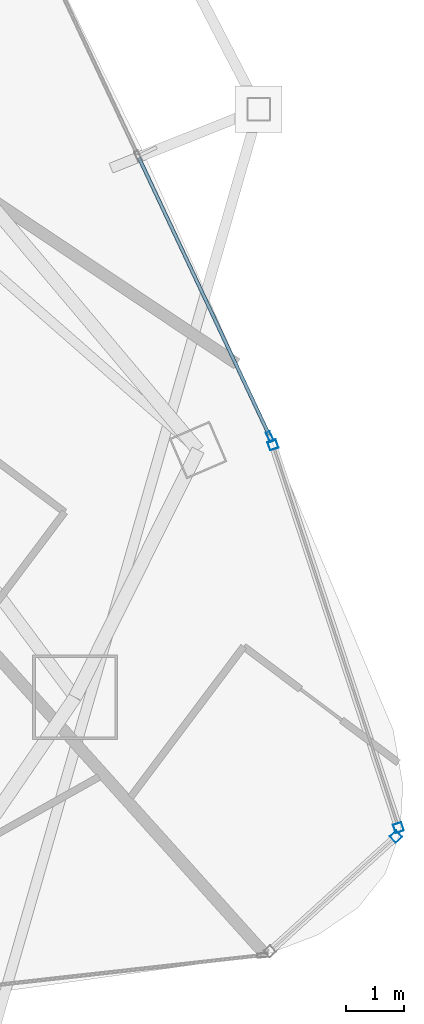
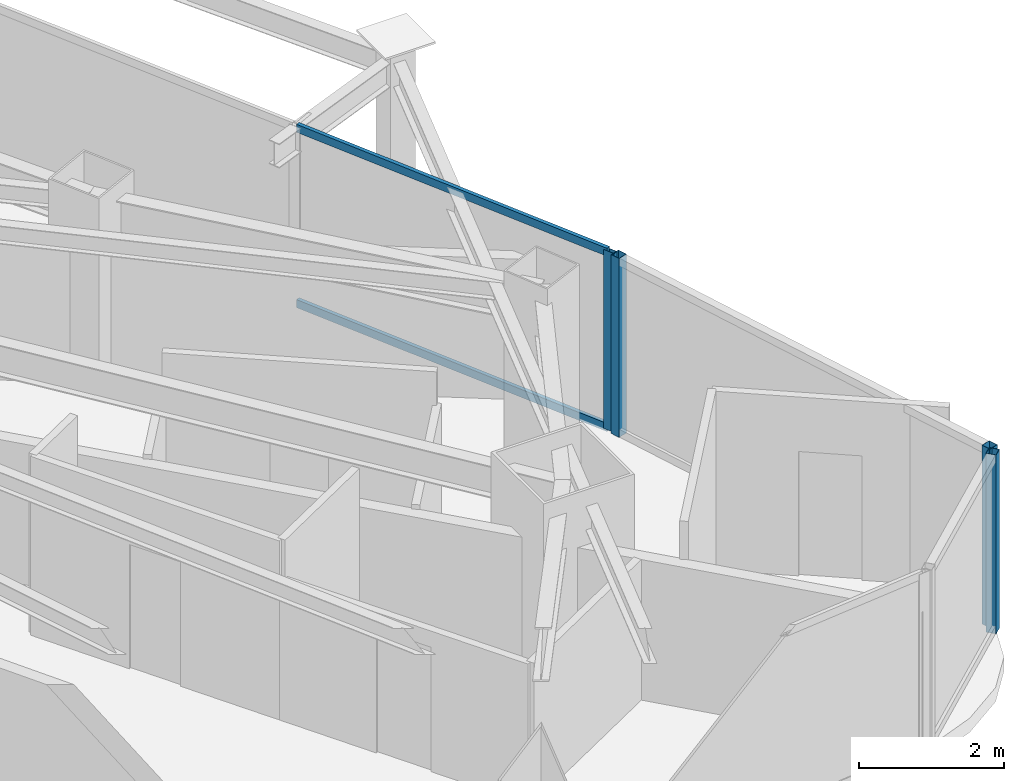
# One storey, part 17 of 31: 6 members, 3 elements without a shape of their own.
"""IFC4 building model written with IfcOpenShell, lengths in metres."""

from ifc_helpers import new_model, si_unit, direction, frame, origin, origin_2d, place, context, subcontext, project, spatial, hollow_rectangle, extrude, material, layer, layer_set, material_profile, profile_set, type_object, element, aggregate, save


model = new_model("IFC4")

# Units and contexts
model_context = context("Model", 3, precision=1e-05, world=origin(), true_north=direction((0.0, 1.0)))
body_context = subcontext(model_context, "Body", "Model", "MODEL_VIEW")
ifc_project = project(units=[si_unit("LENGTHUNIT", "METRE"), si_unit("AREAUNIT", "SQUARE_METRE"), si_unit("VOLUMEUNIT", "CUBIC_METRE"), si_unit("PLANEANGLEUNIT", "RADIAN"), si_unit("MASSUNIT", "GRAM", prefix="KILO")], contexts=[model_context])

# Site, building, storey
site_placement = place(None, origin())
site = spatial("IfcSite", under=ifc_project, at=site_placement, CompositionType="ELEMENT")
building_placement = place(site_placement, origin())
building = spatial("IfcBuilding", under=site, at=building_placement, Name="Orvanel Arch Residences", CompositionType="ELEMENT")
storey_placement = place(building_placement, frame((0.0, 0.0, 183.64990234375)))
storey = spatial("IfcBuildingStorey", under=building, at=storey_placement, Name="L52", CompositionType="ELEMENT", Elevation=183.64990234375)

# Curtain wall, member
ifc_material = material(Name="Bronze-anodised aluminium AA6063-T6", Category="aluminium")
ifc_layer_1 = layer(ifc_material, 0.18994140625)
ifc_layer_set_1 = layer_set([ifc_layer_1], Name="Bronze-anodised aluminium AA6063-T6")
curtain_wall_type_1 = type_object("IfcCurtainWallType", Name="CW5-CRN-SYS", PredefinedType="NOTDEFINED", material=ifc_layer_set_1)
curtain_wall_1_placement = place(storey_placement, origin())
curtain_wall_1 = element("IfcCurtainWall", 1, at=curtain_wall_1_placement, inside=storey, type_object=curtain_wall_type_1, Name="L52 CW5-CRN-SYS Unitised Curtain Wall", PredefinedType="NOTDEFINED")
ifc_material_profile_1 = material_profile(ifc_material, hollow_rectangle(XDim=0.14990234375, YDim=0.14990234375, WallThickness=0.0048828125, at=origin_2d()), Name="ALU150x150x5")
ifc_profile_set_1 = profile_set([ifc_material_profile_1], Name="Bronze-anodised aluminium AA6063-T6")
member_type_1 = type_object("IfcMemberType", Name="MUL-150x150", PredefinedType="MULLION", material=ifc_profile_set_1)
member_1_placement = place(storey_placement, frame((57.29052734375, 7.968505859375, 0.0), z_axis=(0.0, 0.0, 1.0), x_axis=(-0.672347823548, 0.740235370791, 0.0)))
member_1 = element("IfcMember", 2, at=member_1_placement, type_object=member_type_1, Name="CW-S5 mullion 2", PredefinedType="MULLION", context=body_context, shape_type="SweptSolid", body=[
    extrude(hollow_rectangle(XDim=0.14990234375, YDim=0.14990234375, WallThickness=0.0048828125, at=origin_2d()), origin(), (0.0, 0.0, 1.0), 3.02001953125),
])
aggregate(curtain_wall_1, [member_1])

# Curtain wall, members
curtain_wall_2_placement = place(storey_placement, origin())
curtain_wall_2 = element("IfcCurtainWall", 3, at=curtain_wall_2_placement, inside=storey, type_object=curtain_wall_type_1, Name="L52 CW5-CRN-SYS Unitised Curtain Wall", PredefinedType="NOTDEFINED")
member_2_placement = place(storey_placement, frame((57.33154296875, 8.122314453125, 0.0), z_axis=(0.0, 0.0, 1.0), x_axis=(-0.9502626347, -0.311449715192, 0.0)))
member_2 = element("IfcMember", 4, at=member_2_placement, type_object=member_type_1, Name="CW-S5 mullion 1", PredefinedType="MULLION", context=body_context, shape_type="SweptSolid", body=[
    extrude(hollow_rectangle(XDim=0.14990234375, YDim=0.14990234375, WallThickness=0.0048828125, at=origin_2d()), origin(), (0.0, 0.0, 1.0), 3.02001953125),
])
member_3_placement = place(storey_placement, frame((55.186279296875, 14.667724609375, 0.0), z_axis=(0.0, 0.0, 1.0), x_axis=(-0.9502626347, -0.311449715192, 0.0)))
member_3 = element("IfcMember", 5, at=member_3_placement, type_object=member_type_1, Name="CW-S5 mullion 2", PredefinedType="MULLION", context=body_context, shape_type="SweptSolid", body=[
    extrude(hollow_rectangle(XDim=0.14990234375, YDim=0.14990234375, WallThickness=0.0048828125, at=origin_2d()), origin(), (0.0, 0.0, 1.0), 3.02001953125),
])
aggregate(curtain_wall_2, [member_2, member_3])

ifc_layer_2 = layer(ifc_material, 0.179931640625)
ifc_layer_set_2 = layer_set([ifc_layer_2], Name="Bronze-anodised aluminium AA6063-T6")
curtain_wall_type_2 = type_object("IfcCurtainWallType", Name="CW3-MID-SYS", PredefinedType="NOTDEFINED", material=ifc_layer_set_2)
curtain_wall_3_placement = place(storey_placement, origin())
curtain_wall_3 = element("IfcCurtainWall", 6, at=curtain_wall_3_placement, inside=storey, type_object=curtain_wall_type_2, Name="L52 CW3-MID-SYS Unitised Curtain Wall", PredefinedType="NOTDEFINED")
ifc_material_profile_2 = material_profile(ifc_material, hollow_rectangle(XDim=0.070068359375, YDim=0.179931640625, WallThickness=0.00439453125, at=origin_2d()), Name="ALU180x70x4.5")
ifc_profile_set_2 = profile_set([ifc_material_profile_2], Name="Bronze-anodised aluminium AA6063-T6")
member_type_2 = type_object("IfcMemberType", Name="MUL-180x70", PredefinedType="MULLION", material=ifc_profile_set_2)
member_4_placement = place(storey_placement, frame((55.133056640625, 14.8076171875, 0.0), z_axis=(0.0, 0.0, 1.0), x_axis=(-0.905189876787, -0.425007396362, 0.0)))
member_4 = element("IfcMember", 7, at=member_4_placement, type_object=member_type_2, Name="CW-S3 mullion 1", PredefinedType="MULLION", context=body_context, shape_type="SweptSolid", body=[
    extrude(hollow_rectangle(XDim=0.070068359375, YDim=0.179931640625, WallThickness=0.00439453125, at=origin_2d()), origin(), (0.0, 0.0, 1.0), 3.02001953125),
])
ifc_material_profile_3 = material_profile(ifc_material, hollow_rectangle(XDim=0.06005859375, YDim=0.135009765625, WallThickness=0.00390625, at=origin_2d()), Name="ALU135x60x4")
ifc_profile_set_3 = profile_set([ifc_material_profile_3], Name="Bronze-anodised aluminium AA6063-T6")
member_type_3 = type_object("IfcMemberType", Name="TRN-135x60", PredefinedType="USERDEFINED", material=ifc_profile_set_3)
member_5_placement = place(storey_placement, frame((55.1181640625, 14.83935546875, 0.030029296875), z_axis=(-0.424999206881, 0.905193721891, 0.0), x_axis=(-0.905193721891, -0.424999206881, 0.0)))
member_5 = element("IfcMember", 8, at=member_5_placement, type_object=member_type_3, Name="CW-S3 transom 1.1", ObjectType="TRANSOM", PredefinedType="USERDEFINED", context=body_context, shape_type="SweptSolid", body=[
    extrude(hollow_rectangle(XDim=0.06005859375, YDim=0.135009765625, WallThickness=0.00390625, at=origin_2d()), origin(), (0.0, 0.0, 1.0), 5.232666015625),
])
member_6_placement = place(storey_placement, frame((55.1181640625, 14.83935546875, 2.989990234375), z_axis=(-0.424999206881, 0.905193721891, 0.0), x_axis=(-0.905193721891, -0.424999206881, 0.0)))
member_6 = element("IfcMember", 9, at=member_6_placement, type_object=member_type_3, Name="CW-S3 transom 1.2", ObjectType="TRANSOM", PredefinedType="USERDEFINED", context=body_context, shape_type="SweptSolid", body=[
    extrude(hollow_rectangle(XDim=0.06005859375, YDim=0.135009765625, WallThickness=0.00390625, at=origin_2d()), origin(), (0.0, 0.0, 1.0), 5.232666015625),
])
aggregate(curtain_wall_3, [member_4, member_5, member_6])

save(model, "model.ifc")
